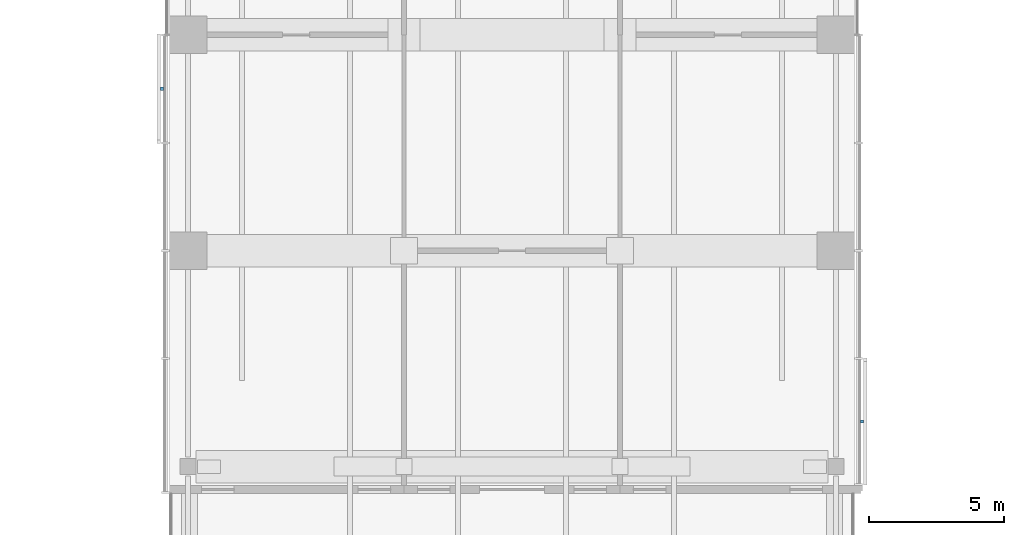
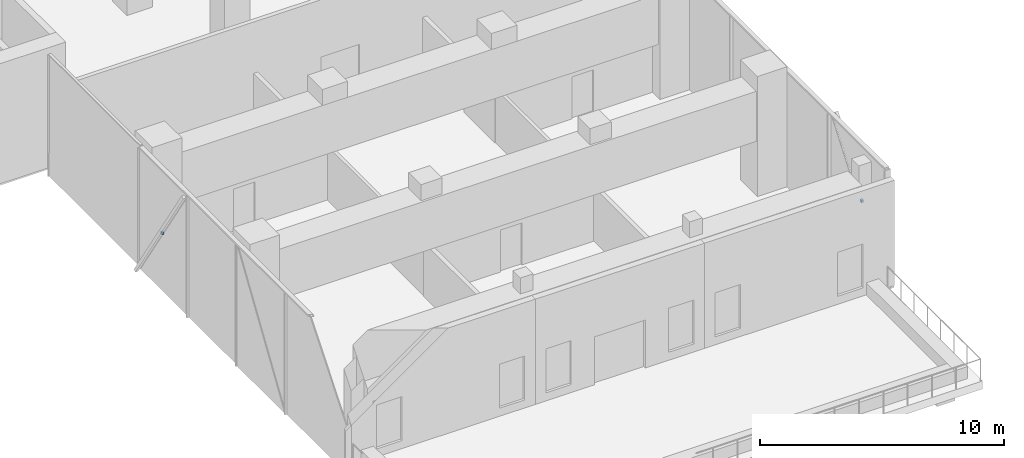
# One storey, part 20 of 23: 2 discrete accessories.
"""IFC4 building model written with IfcOpenShell, lengths in metres."""

from ifc_helpers import new_model, si_unit, direction, frame, origin, origin_2d, place, context, subcontext, project, spatial, rectangle, extrude, material, type_object, element, save


model = new_model("IFC4")

# Units and contexts
model_context = context("Model", 3, precision=1e-05, world=origin(), true_north=direction((0.0, 1.0)))
body_context = subcontext(model_context, "Body", "Model", "MODEL_VIEW")
ifc_project = project(units=[si_unit("LENGTHUNIT", "METRE"), si_unit("AREAUNIT", "SQUARE_METRE"), si_unit("VOLUMEUNIT", "CUBIC_METRE"), si_unit("PLANEANGLEUNIT", "RADIAN"), si_unit("MASSUNIT", "GRAM", prefix="KILO")], contexts=[model_context])

# Site, building, storey
site_placement = place(None, origin())
site = spatial("IfcSite", under=ifc_project, at=site_placement, CompositionType="ELEMENT")
building_placement = place(site_placement, origin())
building = spatial("IfcBuilding", under=site, at=building_placement, Name="Crosswind Convention Tower", CompositionType="ELEMENT")
storey_placement = place(building_placement, frame((0.0, 0.0, 47.5)))
storey = spatial("IfcBuildingStorey", under=building, at=storey_placement, Name="L06", CompositionType="ELEMENT", Elevation=47.5)

# Discrete accessories
ifc_material = material(Name="Stainless steel", Category="steel")
discrete_accessory_type = type_object("IfcDiscreteAccessoryType", Name="BAGUETTE BRACKET BK4", PredefinedType="BRACKET", material=ifc_material)
for number, where, z_axis, x_axis, name in (
    (1, (112.028076171875, 78.0, 2.5625), (0.0, 0.0, 1.0), (0.0, -1.0, 0.0), "BK4 baguette bracket"),
    (2, (137.971923828125, 65.668701171875, 2.5625), (0.0, 0.0, 1.0), (0.0, 1.0, 0.0), "BK4 baguette bracket"),
):
    element("IfcDiscreteAccessory", number, at=place(storey_placement, frame(where, z_axis=z_axis, x_axis=x_axis)), inside=storey, type_object=discrete_accessory_type, Name=name, PredefinedType="BRACKET", context=body_context, shape_type="SweptSolid", body=[
        extrude(rectangle(XDim=0.1201171875, YDim=0.10009765625, at=origin_2d()), origin(), (0.0, 0.0, 1.0), 0.1201171875),
    ])

save(model, "model.ifc")
